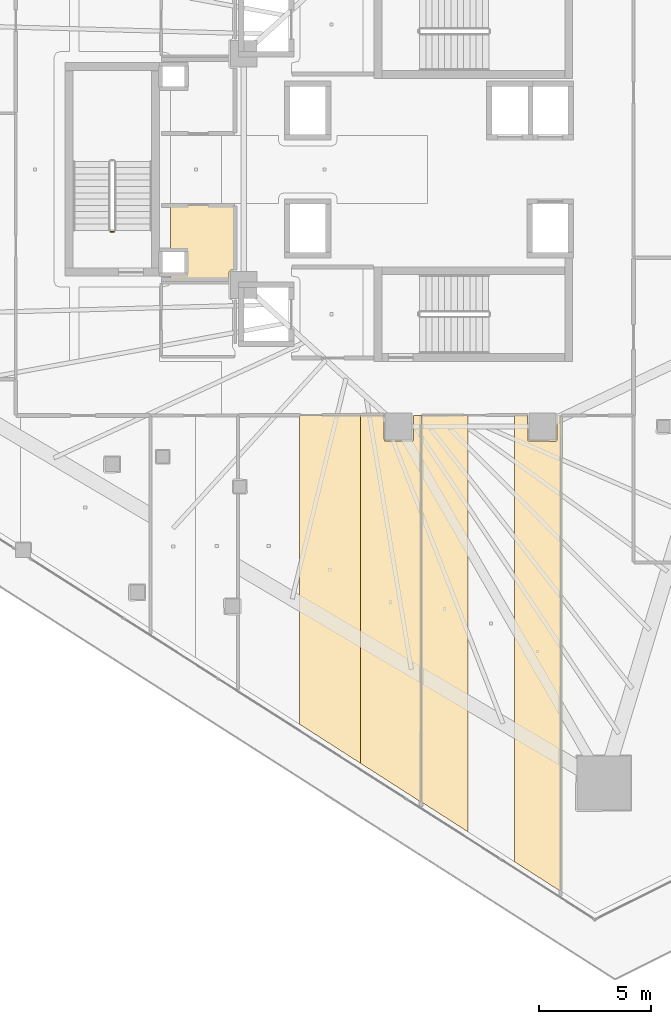
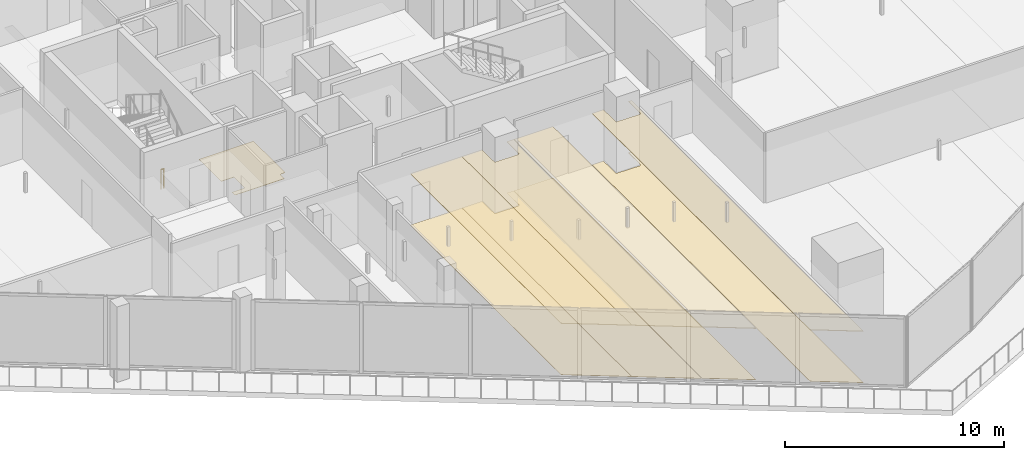
# One storey, part 37 of 44: 9 coverings, 1 railing.
"""IFC4 building model written with IfcOpenShell, lengths in metres."""

from ifc_helpers import new_model, si_unit, direction, frame, origin, origin_2d, place, context, subcontext, project, spatial, polyline, circle, outline, extrude, material, layer, layer_set, type_object, element, save


model = new_model("IFC4")

# Units and contexts
model_context = context("Model", 3, precision=1e-05, world=origin(), true_north=direction((0.0, 1.0)))
body_context = subcontext(model_context, "Body", "Model", "MODEL_VIEW")
ifc_project = project(units=[si_unit("LENGTHUNIT", "METRE"), si_unit("AREAUNIT", "SQUARE_METRE"), si_unit("VOLUMEUNIT", "CUBIC_METRE"), si_unit("PLANEANGLEUNIT", "RADIAN"), si_unit("MASSUNIT", "GRAM", prefix="KILO")], contexts=[model_context])

# Site, building, storey
site_placement = place(None, origin())
site = spatial("IfcSite", under=ifc_project, at=site_placement, CompositionType="ELEMENT")
building_placement = place(site_placement, origin())
building = spatial("IfcBuilding", under=site, at=building_placement, Name="Qorvath Tower", CompositionType="ELEMENT")
storey_placement = place(building_placement, frame((0.0, 0.0, 53.39990234375)))
storey = spatial("IfcBuildingStorey", under=building, at=storey_placement, Name="L11", CompositionType="ELEMENT", Elevation=53.39990234375)

# Coverings
ifc_material_1 = material(Name="Acoustic mineral fibre ceiling tile", Category="gypsum")
ifc_layer_1 = layer(ifc_material_1, 0.030029296875)
ifc_layer_set_1 = layer_set([ifc_layer_1], Name="COV-CEIL")
covering_type_1 = type_object("IfcCoveringType", Name="COV-CEIL", PredefinedType="CEILING", material=ifc_layer_set_1)
covering_1_placement = place(storey_placement, frame((0.0, 0.0, 2.85009765625)))
element("IfcCovering", 1, at=covering_1_placement, inside=storey, type_object=covering_type_1, Name="L11 Suspended Acoustic Ceiling 027", PredefinedType="CEILING", context=body_context, shape_type="SweptSolid", body=[
    extrude(outline(polyline([(-25.311767578125, -26.440185546875), (-25.311767578125, -10.94384765625), (-28.028076171875, -10.953369140625), (-28.028076171875, -24.69775390625), (-25.311767578125, -26.440185546875)])), origin(), (0.0, 0.0, 1.0), 0.030029296875),
])
covering_2_placement = place(storey_placement, frame((0.0, 0.0, 2.85009765625)))
element("IfcCovering", 2, at=covering_2_placement, inside=storey, type_object=covering_type_1, Name="L11 Suspended Acoustic Ceiling 028", PredefinedType="CEILING", context=body_context, shape_type="SweptSolid", body=[
    extrude(outline(polyline([(-22.613037109375, -28.1708984375), (-22.595458984375, -10.962890625), (-22.93994140625, -10.94921875), (-22.93994140625, -12.050048828125), (-23.0, -12.110107421875), (-24.242431640625, -12.092529296875), (-24.260009765625, -10.940185546875), (-25.311767578125, -10.94384765625), (-25.311767578125, -26.440185546875), (-22.613037109375, -28.1708984375)])), origin(), (0.0, 0.0, 1.0), 0.030029296875),
])
covering_3_placement = place(storey_placement, frame((0.0, 0.0, 2.85009765625)))
element("IfcCovering", 3, at=covering_3_placement, inside=storey, type_object=covering_type_1, Name="L11 Suspended Acoustic Ceiling 029", PredefinedType="CEILING", context=body_context, shape_type="SweptSolid", body=[
    extrude(outline(polyline([(-20.5244140625, -29.49365234375), (-20.5244140625, -10.953125), (-22.577392578125, -10.962890625), (-22.59521484375, -28.1640625), (-20.5244140625, -29.49365234375)])), origin(), (0.0, 0.0, 1.0), 0.030029296875),
])
covering_4_placement = place(storey_placement, frame((0.0, 0.0, 2.85009765625)))
element("IfcCovering", 4, at=covering_4_placement, inside=storey, type_object=covering_type_1, Name="L11 Suspended Acoustic Ceiling 031", PredefinedType="CEILING", context=body_context, shape_type="SweptSolid", body=[
    extrude(outline(polyline([(-16.400390625, -32.1416015625), (-16.3828125, -10.962646484375), (-16.5400390625, -10.953857421875), (-16.5400390625, -12.050048828125), (-16.60009765625, -12.110107421875), (-17.842529296875, -12.092529296875), (-17.860107421875, -10.940185546875), (-18.45361328125, -10.943115234375), (-18.45361328125, -30.823486328125), (-16.400390625, -32.1416015625)])), origin(), (0.0, 0.0, 1.0), 0.030029296875),
])
ifc_material_2 = material(Name="Low-VOC modular carpet tile", Category="textile")
ifc_layer_2 = layer(ifc_material_2, 0.014892578125)
ifc_layer_set_2 = layer_set([ifc_layer_2], Name="COV-FLOOR-CPT")
covering_type_2 = type_object("IfcCoveringType", Name="COV-FLOOR-CPT", PredefinedType="FLOORING", material=ifc_layer_set_2)
covering_5_placement = place(storey_placement, origin())
element("IfcCovering", 5, at=covering_5_placement, inside=storey, type_object=covering_type_2, Name="L11 Floor Finish 006", PredefinedType="FLOORING", context=body_context, shape_type="SweptSolid", body=[
    extrude(outline(polyline([(-30.885009765625, -4.489990234375), (-30.885009765625, -1.60498046875), (-33.760009765625, -1.60498046875), (-33.760009765625, -3.636962890625), (-33.08837890625, -3.638427734375), (-33.0869140625, -4.6279296875), (-33.760009765625, -4.633056640625), (-33.760009765625, -4.89501953125), (-31.159912109375, -4.89501953125), (-31.159912109375, -4.550048828125), (-31.10009765625, -4.489990234375), (-30.885009765625, -4.489990234375)])), origin(), (0.0, 0.0, 1.0), 0.01513671875),
])
covering_6_placement = place(storey_placement, origin())
element("IfcCovering", 6, at=covering_6_placement, inside=storey, type_object=covering_type_2, Name="L11 Floor Finish 027", PredefinedType="FLOORING", context=body_context, shape_type="SweptSolid", body=[
    extrude(outline(polyline([(-25.311767578125, -26.440185546875), (-25.311767578125, -10.94384765625), (-28.028076171875, -10.953369140625), (-28.028076171875, -24.69775390625), (-25.311767578125, -26.440185546875)])), origin(), (0.0, 0.0, 1.0), 0.01513671875),
])
covering_7_placement = place(storey_placement, origin())
element("IfcCovering", 7, at=covering_7_placement, inside=storey, type_object=covering_type_2, Name="L11 Floor Finish 028", PredefinedType="FLOORING", context=body_context, shape_type="SweptSolid", body=[
    extrude(outline(polyline([(-22.613037109375, -28.1708984375), (-22.595458984375, -10.962890625), (-22.93994140625, -10.94921875), (-22.93994140625, -12.050048828125), (-23.0, -12.110107421875), (-24.242431640625, -12.092529296875), (-24.260009765625, -10.940185546875), (-25.311767578125, -10.94384765625), (-25.311767578125, -26.440185546875), (-22.613037109375, -28.1708984375)])), origin(), (0.0, 0.0, 1.0), 0.01513671875),
])
covering_8_placement = place(storey_placement, origin())
element("IfcCovering", 8, at=covering_8_placement, inside=storey, type_object=covering_type_2, Name="L11 Floor Finish 029", PredefinedType="FLOORING", context=body_context, shape_type="SweptSolid", body=[
    extrude(outline(polyline([(-20.5244140625, -29.49365234375), (-20.5244140625, -10.953125), (-22.577392578125, -10.962890625), (-22.59521484375, -28.1640625), (-20.5244140625, -29.49365234375)])), origin(), (0.0, 0.0, 1.0), 0.01513671875),
])
covering_9_placement = place(storey_placement, origin())
element("IfcCovering", 9, at=covering_9_placement, inside=storey, type_object=covering_type_2, Name="L11 Floor Finish 031", PredefinedType="FLOORING", context=body_context, shape_type="SweptSolid", body=[
    extrude(outline(polyline([(-16.400390625, -32.1416015625), (-16.3828125, -10.962646484375), (-16.5400390625, -10.953857421875), (-16.5400390625, -12.050048828125), (-16.60009765625, -12.110107421875), (-17.842529296875, -12.092529296875), (-17.860107421875, -10.940185546875), (-18.45361328125, -10.943115234375), (-18.45361328125, -30.823486328125), (-16.400390625, -32.1416015625)])), origin(), (0.0, 0.0, 1.0), 0.01513671875),
])

# Railing
ifc_material_3 = material(Name="Painted galvanised steel", Category="steel")
railing_type = type_object("IfcRailingType", Name="RL-STR-GRD", PredefinedType="GUARDRAIL", material=ifc_material_3)
railing_placement = place(storey_placement, frame((-36.280029296875, -2.77001953125, 0.0)))
element("IfcRailing", 10, at=railing_placement, inside=storey, type_object=railing_type, Name="L11 TS3 stair guard 4", PredefinedType="GUARDRAIL", context=body_context, shape_type="SweptSolid", body=[
    extrude(circle(Radius=0.02392578125, at=origin_2d()), frame((0.0, 0.0, 1.076171875), z_axis=(-1.0, 0.0, 0.0), x_axis=(0.0, -1.0, 0.0)), (0.0, 0.0, 1.0), 0.14990234375),
    extrude(circle(Radius=0.02099609375, at=origin_2d()), origin(), (0.0, 0.0, 1.0), 1.052001953125),
    extrude(circle(Radius=0.02099609375, at=origin_2d()), frame((-0.14990234375, 0.0, 0.0)), (0.0, 0.0, 1.0), 1.052001953125),
])

save(model, "model.ifc")
